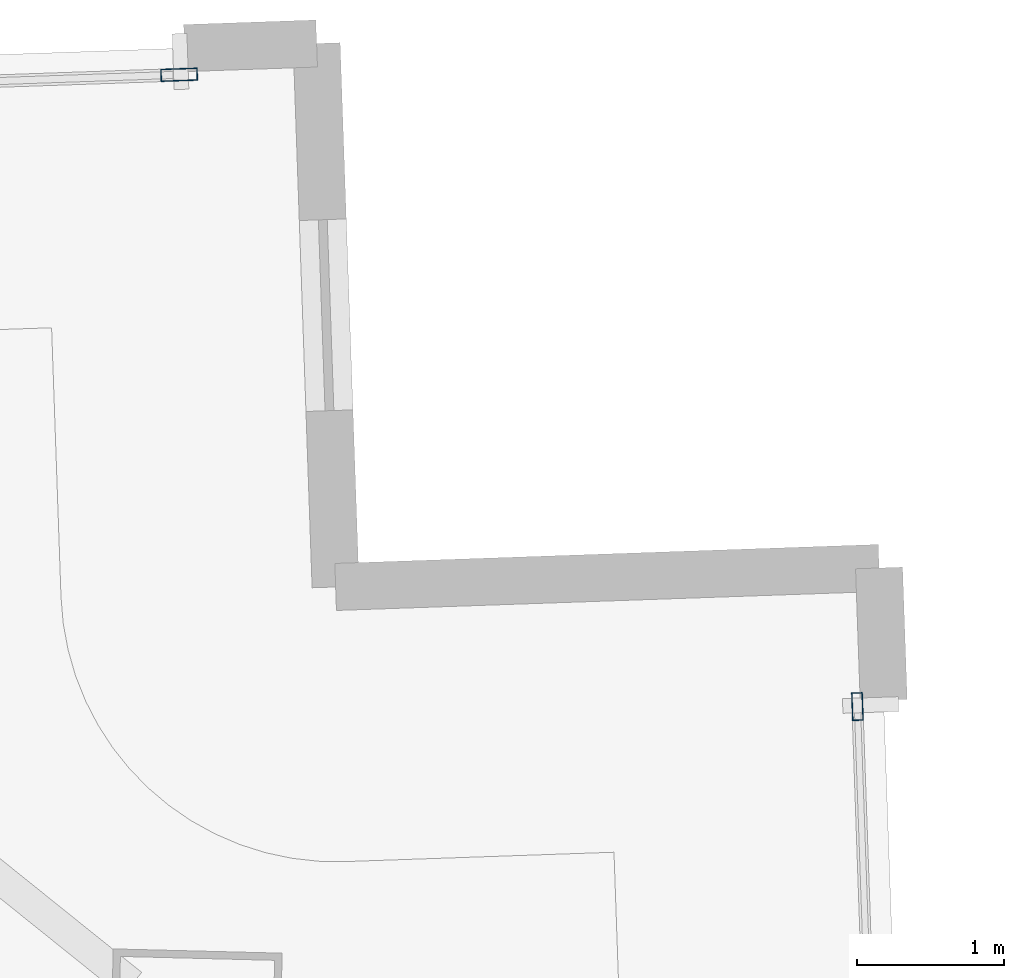
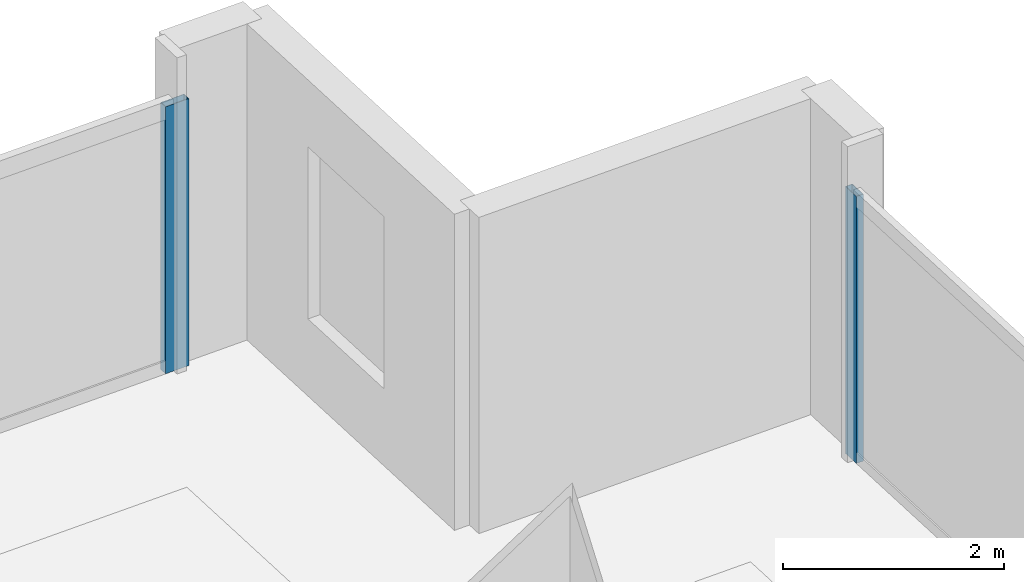
# One storey, part 15 of 23: 2 members, 2 elements without a shape of their own.
"""IFC4 building model written with IfcOpenShell, lengths in metres."""

from ifc_helpers import new_model, si_unit, direction, frame, origin, origin_2d, place, context, subcontext, project, spatial, hollow_rectangle, extrude, material, material_profile, profile_set, type_object, element, aggregate, save


model = new_model("IFC4")

# Units and contexts
model_context = context("Model", 3, precision=1e-05, world=origin(), true_north=direction((0.0, 1.0)))
body_context = subcontext(model_context, "Body", "Model", "MODEL_VIEW")
ifc_project = project(units=[si_unit("LENGTHUNIT", "METRE"), si_unit("AREAUNIT", "SQUARE_METRE"), si_unit("VOLUMEUNIT", "CUBIC_METRE"), si_unit("PLANEANGLEUNIT", "RADIAN"), si_unit("MASSUNIT", "GRAM", prefix="KILO")], contexts=[model_context])

# Site, building, storey
site_placement = place(None, origin())
site = spatial("IfcSite", under=ifc_project, at=site_placement, CompositionType="ELEMENT")
building_placement = place(site_placement, origin())
building = spatial("IfcBuilding", under=site, at=building_placement, Name="Haldenkirk Collegiate Tower", CompositionType="ELEMENT")
storey_placement = place(building_placement, frame((0.0, 0.0, 336.449951171875)))
storey = spatial("IfcBuildingStorey", under=building, at=storey_placement, Name="L85", CompositionType="ELEMENT", Elevation=336.449951171875)

# Curtain wall, member
ifc_material = material(Name="Anodised architectural bronze aluminium", Category="aluminium")
curtain_wall_type_1 = type_object("IfcCurtainWallType", Name="CW-SYS2-CONCAVE", PredefinedType="USERDEFINED", material=ifc_material)
curtain_wall_1_placement = place(storey_placement, origin())
curtain_wall_1 = element("IfcCurtainWall", 1, at=curtain_wall_1_placement, inside=storey, type_object=curtain_wall_type_1, Name="L85 South concave recessed bronze-anodised curtain wall", ObjectType="UNITISED CURTAIN WALL", PredefinedType="USERDEFINED")
ifc_material_profile_1 = material_profile(ifc_material, hollow_rectangle(XDim=0.074951171875, YDim=0.18994140625, WallThickness=0.0048828125, at=origin_2d()), Name="CW-MUL-02")
ifc_profile_set_1 = profile_set([ifc_material_profile_1], Name="Anodised architectural bronze aluminium")
member_type_1 = type_object("IfcMemberType", Name="CW-MUL-02", PredefinedType="MULLION", material=ifc_profile_set_1)
member_1_placement = place(storey_placement, frame((57.31689453125, 44.36767578125, 0.0), z_axis=(0.0, 0.0, 1.0), x_axis=(0.999390776503, 0.034900943257, 0.0)))
member_1 = element("IfcMember", 2, at=member_1_placement, type_object=member_type_1, Name="CW-02 mullion 1", PredefinedType="MULLION", context=body_context, shape_type="SweptSolid", body=[
    extrude(hollow_rectangle(XDim=0.074951171875, YDim=0.18994140625, WallThickness=0.0048828125, at=origin_2d()), origin(), (0.0, 0.0, 1.0), 2.947998046875),
])
aggregate(curtain_wall_1, [member_1])

curtain_wall_type_2 = type_object("IfcCurtainWallType", Name="CW-SYS1B-CONVEX-HI", PredefinedType="USERDEFINED", material=ifc_material)
curtain_wall_2_placement = place(storey_placement, origin())
curtain_wall_2 = element("IfcCurtainWall", 3, at=curtain_wall_2_placement, inside=storey, type_object=curtain_wall_type_2, Name="L85 Upper tower high-wind convex bronze unitised curtain wall", ObjectType="UNITISED CURTAIN WALL", PredefinedType="USERDEFINED")
ifc_material_profile_2 = material_profile(ifc_material, hollow_rectangle(XDim=0.0849609375, YDim=0.25, WallThickness=0.0048828125, at=origin_2d()), Name="CW-MUL-1B")
ifc_profile_set_2 = profile_set([ifc_material_profile_2], Name="Anodised architectural bronze aluminium")
member_type_2 = type_object("IfcMemberType", Name="CW-MUL-1B", PredefinedType="MULLION", material=ifc_profile_set_2)
member_2_placement = place(storey_placement, frame((52.70166015625, 48.666748046875, 0.0), z_axis=(0.0, 0.0, 1.0), x_axis=(-0.034901844415, 0.999390745032, 0.0)))
member_2 = element("IfcMember", 4, at=member_2_placement, type_object=member_type_2, Name="CW-1B mullion 4", PredefinedType="MULLION", context=body_context, shape_type="SweptSolid", body=[
    extrude(hollow_rectangle(XDim=0.0849609375, YDim=0.25, WallThickness=0.0048828125, at=origin_2d()), origin(), (0.0, 0.0, 1.0), 2.947998046875),
])
aggregate(curtain_wall_2, [member_2])

save(model, "model.ifc")
